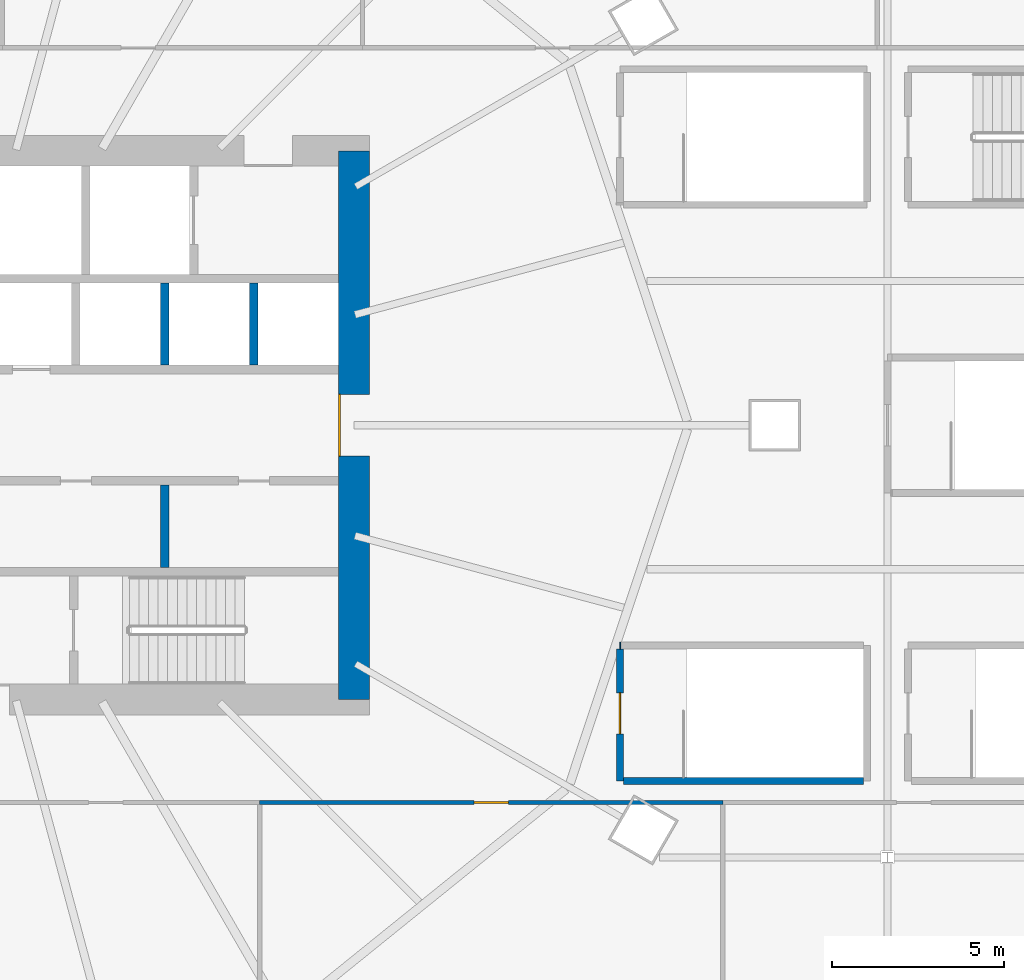
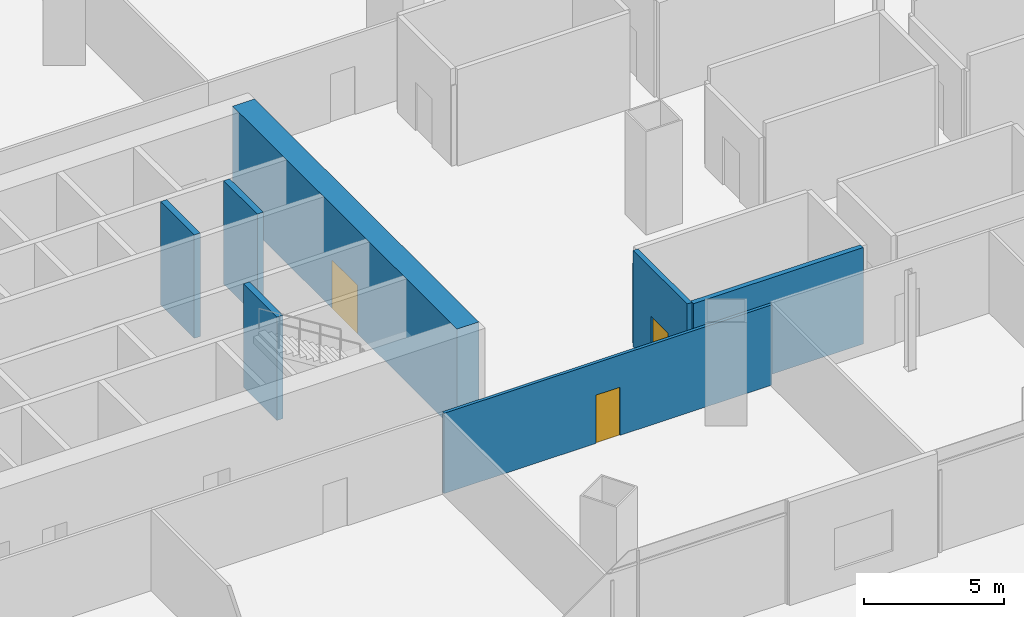
# One storey, part 32 of 49: 8 walls, 3 doors, 3 openings.
"""IFC4 building model written with IfcOpenShell, lengths in metres."""

from ifc_helpers import new_model, si_unit, direction, frame, frame_2d, origin, place, context, subcontext, project, spatial, rectangle, extrude, material, layer, layer_set, type_object, element, fill, save


model = new_model("IFC4")

# Units and contexts
model_context = context("Model", 3, precision=1e-05, world=origin(), true_north=direction((0.0, 1.0)))
body_context = subcontext(model_context, "Body", "Model", "MODEL_VIEW")
ifc_project = project(units=[si_unit("LENGTHUNIT", "METRE"), si_unit("AREAUNIT", "SQUARE_METRE"), si_unit("VOLUMEUNIT", "CUBIC_METRE"), si_unit("PLANEANGLEUNIT", "RADIAN"), si_unit("MASSUNIT", "GRAM", prefix="KILO")], contexts=[model_context])

# Site, building, storey
site_placement = place(None, origin())
site = spatial("IfcSite", under=ifc_project, at=site_placement, CompositionType="ELEMENT")
building_placement = place(site_placement, origin())
building = spatial("IfcBuilding", under=site, at=building_placement, Name="Rimbun Link Towers", CompositionType="ELEMENT")
storey_placement = place(building_placement, frame((0.0, 0.0, 25.5)))
storey = spatial("IfcBuildingStorey", under=building, at=storey_placement, Name="L05", CompositionType="ELEMENT", Elevation=25.5)

# Wall, opening, door
ifc_material_1 = material(Name="Concrete C60/75", Category="concrete")
ifc_layer_1 = layer(ifc_material_1, 0.89990234375)
ifc_layer_set_1 = layer_set([ifc_layer_1], Name="Core shear wall 900")
wall_type_1 = type_object("IfcWallType", Name="Core shear wall 900", PredefinedType="SHEAR", material=ifc_layer_set_1)
wall_1_placement = place(storey_placement, frame((-19.75, -8.0, 0.0), z_axis=(0.0, 0.0, 1.0), x_axis=(0.0, 1.0, 0.0)))
wall_1 = element("IfcWall", 1, at=wall_1_placement, inside=storey, type_object=wall_type_1, Name="L05 T1 core wall E", PredefinedType="SHEAR", context=body_context, shape_type="SweptSolid", body=[
    extrude(rectangle(XDim=16.0, YDim=0.89990234375, at=frame_2d((8.0, 0.0))), origin(), (0.0, 0.0, 1.0), 4.5),
])
opening_1_placement = place(wall_1_placement, frame((7.10009765625, 0.0, 0.0)))
opening_1 = element("IfcOpeningElement", 2, at=opening_1_placement, cuts=wall_1, Name="Opening C1DCL01E", PredefinedType="OPENING", context=body_context, shape_type="SweptSolid", body=[
    extrude(rectangle(XDim=1.800048828125, YDim=2.10009765625, at=frame_2d((0.89990234375, 1.050048828125))), frame((0.0, 0.4599609375, 0.0), z_axis=(0.0, -1.0, 0.0), x_axis=(1.0, 0.0, 0.0)), (0.0, 0.0, 1.0), 0.919921875),
])
ifc_material_2 = material(Name="Steel fire door set", Category="steel")
door_type_1 = type_object("IfcDoorType", Name="Core lobby door double", OperationType="DOUBLE_DOOR_SINGLE_SWING", PredefinedType="DOOR", material=ifc_material_2)
door_1_placement = place(opening_1_placement, origin())
door_1 = element("IfcDoor", 3, at=door_1_placement, inside=storey, type_object=door_type_1, Name="L05 T1 lift lobby door", OperationType="DOUBLE_DOOR_SINGLE_SWING", OverallHeight=2.10009765625, OverallWidth=1.800048828125, PredefinedType="DOOR", context=body_context, shape_type="SweptSolid", body=[
    extrude(rectangle(XDim=1.800048828125, YDim=2.10009765625, at=frame_2d((0.89990234375, 1.050048828125))), frame((0.0, 0.4501953125, 0.0), z_axis=(0.0, -1.0, 0.0), x_axis=(1.0, 0.0, 0.0)), (0.0, 0.0, 1.0), 0.050048828125),
])
fill(opening_1, door_1)

ifc_material_3 = material(Name="Gypsum board on steel studs", Category="steel")
ifc_layer_2 = layer(ifc_material_3, 0.125)
ifc_layer_set_2 = layer_set([ifc_layer_2], Name="Partition 125 board on studs")
wall_type_2 = type_object("IfcWallType", Name="Partition 125 board on studs", PredefinedType="PARTITIONING", material=ifc_layer_set_2)
wall_2_placement = place(storey_placement, frame((-22.5, -11.0, 0.0), z_axis=(0.0, 0.0, 1.0), x_axis=(1.0, 0.0, 0.0)))
wall_2 = element("IfcWall", 4, at=wall_2_placement, inside=storey, type_object=wall_type_2, Name="PD/PW/L05/028", PredefinedType="PARTITIONING", context=body_context, shape_type="SweptSolid", body=[
    extrude(rectangle(XDim=13.5, YDim=0.125, at=frame_2d((6.75, 0.0))), origin(), (0.0, 0.0, 1.0), 3.49609375),
])
opening_2_placement = place(wall_2_placement, frame((6.25, 0.0, 0.0)))
opening_2 = element("IfcOpeningElement", 5, at=opening_2_placement, cuts=wall_2, Name="Opening PD D05.04", PredefinedType="OPENING", context=body_context, shape_type="SweptSolid", body=[
    extrude(rectangle(XDim=1.0, YDim=2.10009765625, at=frame_2d((0.5, 1.050048828125))), frame((0.0, 0.072509765625, 0.0), z_axis=(0.0, -1.0, 0.0), x_axis=(1.0, 0.0, 0.0)), (0.0, 0.0, 1.0), 0.14501953125),
])
ifc_material_4 = material(Name="Timber door set", Category="wood")
door_type_2 = type_object("IfcDoorType", Name="Door single leaf 1000 x 2100", OperationType="NOTDEFINED", PredefinedType="DOOR", material=ifc_material_4)
door_2_placement = place(opening_2_placement, origin())
door_2 = element("IfcDoor", 6, at=door_2_placement, inside=storey, type_object=door_type_2, Name="PD/DR/L05/004", OperationType="SINGLE_SWING_LEFT", OverallHeight=2.10009765625, OverallWidth=1.0, PredefinedType="DOOR", context=body_context, shape_type="SweptSolid", body=[
    extrude(rectangle(XDim=1.0, YDim=2.10009765625, at=frame_2d((0.5, 1.050048828125))), frame((0.0, 0.02490234375, 0.0), z_axis=(0.0, -1.0, 0.0), x_axis=(1.0, 0.0, 0.0)), (0.0, 0.0, 1.0), 0.050048828125),
])
fill(opening_2, door_2)

# Walls
ifc_material_5 = material(Name="Concrete C60/75", Category="concrete")
ifc_layer_3 = layer(ifc_material_5, 0.25)
ifc_layer_set_3 = layer_set([ifc_layer_3], Name="Shaft wall 250")
wall_type_3 = type_object("IfcWallType", Name="Shaft wall 250", PredefinedType="SHEAR", material=ifc_layer_set_3)
for number, where, z_axis, x_axis, name in (
    (7, (-25.263916015625, 1.75, 0.0), (0.0, 0.0, 1.0), (0.0, 1.0, 0.0), "L05 T1 core wall DN6"),
    (8, (-22.66943359375, 1.75, 0.0), (0.0, 0.0, 1.0), (0.0, 1.0, 0.0), "L05 T1 core wall DN7"),
    (9, (-25.263916015625, -4.14990234375, 0.0), (0.0, 0.0, 1.0), (0.0, 1.0, 0.0), "L05 T1 core wall DS6"),
):
    element("IfcWall", number, at=place(storey_placement, frame(where, z_axis=z_axis, x_axis=x_axis)), inside=storey, type_object=wall_type_3, Name=name, PredefinedType="SHEAR", context=body_context, shape_type="SweptSolid", body=[
        extrude(rectangle(XDim=2.39990234375, YDim=0.25, at=frame_2d((1.199951171875, 0.0))), origin(), (0.0, 0.0, 1.0), 4.5),
    ])
ifc_material_6 = material(Name="Concrete C40/50", Category="concrete")
ifc_layer_4 = layer(ifc_material_6, 0.199951171875)
ifc_layer_set_4 = layer_set([ifc_layer_4], Name="Stair shaft wall 200")
wall_type_4 = type_object("IfcWallType", Name="Stair shaft wall 200", PredefinedType="SOLIDWALL", material=ifc_layer_set_4)
wall_3_placement = place(storey_placement, frame((-11.96826171875, -6.425048828125, 0.0), z_axis=(0.0, 0.0, 1.0), x_axis=(-1.0, 0.0, 0.0)))
element("IfcWall", 10, at=wall_3_placement, inside=storey, type_object=wall_type_4, Name="PD/PW/L05/002b", PredefinedType="SOLIDWALL", context=body_context, shape_type="SweptSolid", body=[
    extrude(rectangle(XDim=0.03173828125, YDim=0.199951171875, at=frame_2d((0.015869140625, 0.0))), origin(), (0.0, 0.0, 1.0), 3.49609375),
])

# Wall, opening, door
wall_4_placement = place(storey_placement, frame((-12.0, -6.52490234375, 0.0), z_axis=(0.0, 0.0, 1.0), x_axis=(0.0, -1.0, 0.0)))
wall_4 = element("IfcWall", 11, at=wall_4_placement, inside=storey, type_object=wall_type_4, Name="PD/PW/L05/003", PredefinedType="SOLIDWALL", context=body_context, shape_type="SweptSolid", body=[
    extrude(rectangle(XDim=3.85009765625, YDim=0.199951171875, at=frame_2d((1.925048828125, 0.0))), origin(), (0.0, 0.0, 1.0), 4.199951171875),
])
opening_3_placement = place(wall_4_placement, frame((1.27490234375, 0.0, 0.0)))
opening_3 = element("IfcOpeningElement", 12, at=opening_3_placement, cuts=wall_4, Name="Opening PD DS1", PredefinedType="OPENING", context=body_context, shape_type="SweptSolid", body=[
    extrude(rectangle(XDim=1.199951171875, YDim=2.10009765625, at=frame_2d((0.60009765625, 1.050048828125))), frame((0.0, 0.10986328125, 0.0), z_axis=(0.0, -1.0, 0.0), x_axis=(1.0, 0.0, 0.0)), (0.0, 0.0, 1.0), 0.219970703125),
])
ifc_material_7 = material(Name="Steel fire door set", Category="steel")
door_type_3 = type_object("IfcDoorType", Name="Stair door", OperationType="SINGLE_SWING_LEFT", PredefinedType="DOOR", material=ifc_material_7)
door_3_placement = place(opening_3_placement, frame((1.199951171875, 0.0, 0.0), z_axis=(0.0, 0.0, 1.0), x_axis=(-1.0, 0.0, 0.0)))
door_3 = element("IfcDoor", 13, at=door_3_placement, inside=storey, type_object=door_type_3, Name="PD/DR/L05/S1", OperationType="SINGLE_SWING_LEFT", OverallHeight=2.10009765625, OverallWidth=1.199951171875, PredefinedType="DOOR", context=body_context, shape_type="SweptSolid", body=[
    extrude(rectangle(XDim=1.199951171875, YDim=2.10009765625, at=frame_2d((0.60009765625, 1.050048828125))), frame((0.0, 0.02490234375, 0.0), z_axis=(0.0, -1.0, 0.0), x_axis=(1.0, 0.0, 0.0)), (0.0, 0.0, 1.0), 0.050048828125),
])
fill(opening_3, door_3)

# Wall
wall_5_placement = place(storey_placement, frame((-11.89990234375, -10.375, 0.0), z_axis=(0.0, 0.0, 1.0), x_axis=(1.0, 0.0, 0.0)))
element("IfcWall", 14, at=wall_5_placement, inside=storey, type_object=wall_type_4, Name="PD/PW/L05/004", PredefinedType="SOLIDWALL", context=body_context, shape_type="SweptSolid", body=[
    extrude(rectangle(XDim=7.0, YDim=0.199951171875, at=frame_2d((3.5, 0.0))), origin(), (0.0, 0.0, 1.0), 4.199951171875),
])

save(model, "model.ifc")
